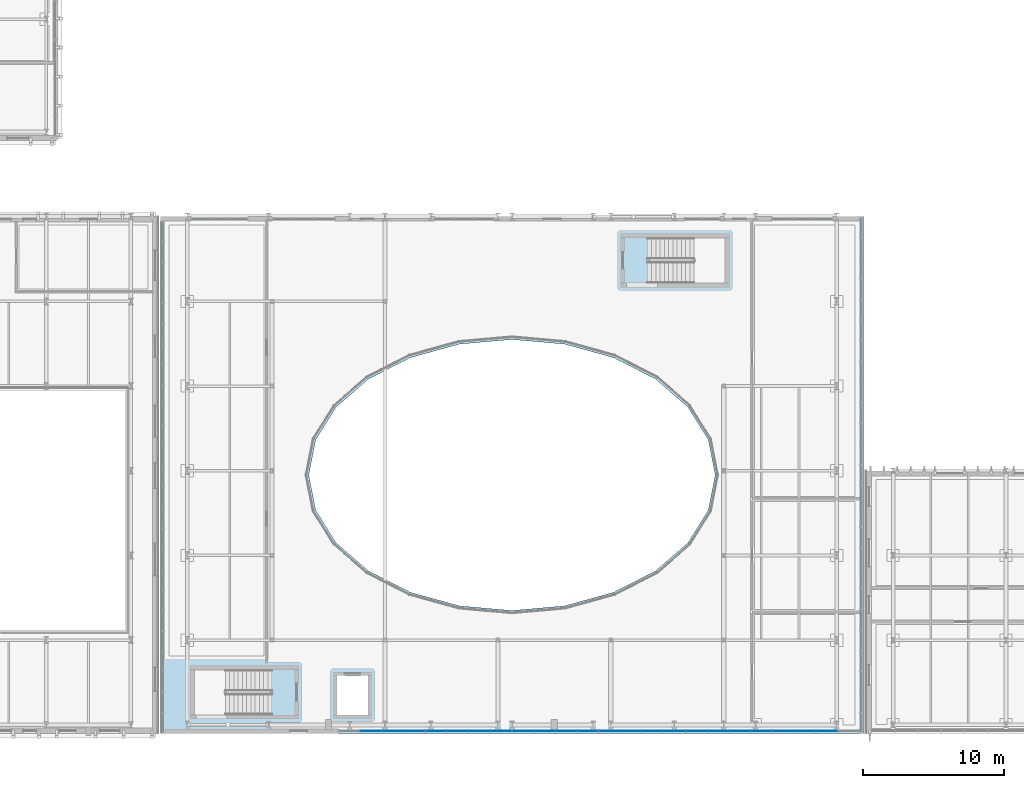
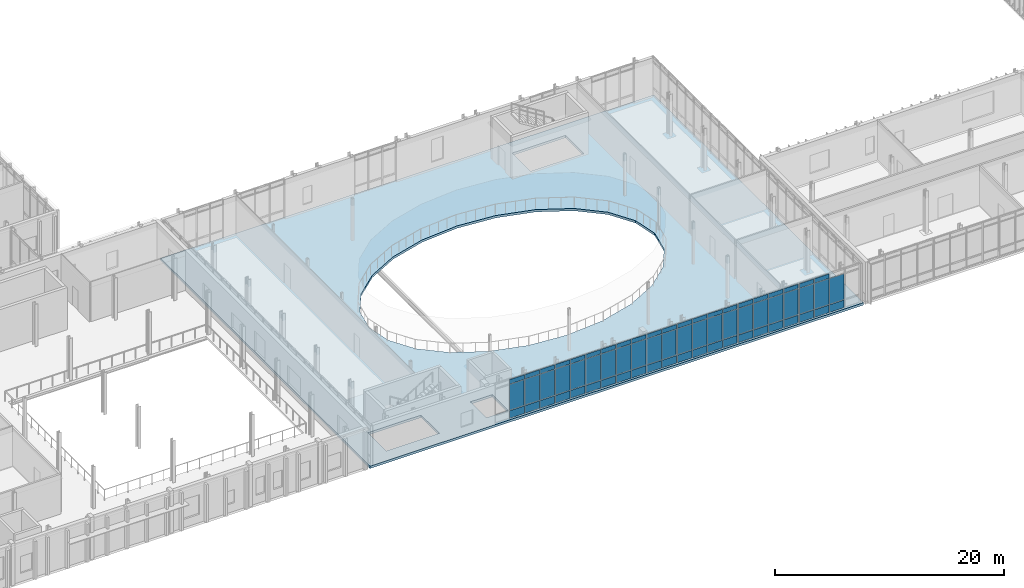
# One storey, part 53 of 100: 65 plates, 1 slab, 6 elements without a shape of their own.
"""IFC4 building model written with IfcOpenShell, lengths in metres."""

from ifc_helpers import new_model, si_unit, direction, frame, origin, origin_2d, place, context, subcontext, project, spatial, polyline, rectangle, outline, extrude, material, layer, layer_set, type_object, element, aggregate, save


model = new_model("IFC4")

# Units and contexts
model_context = context("Model", 3, precision=1e-05, world=origin(), true_north=direction((0.0, 1.0)))
body_context = subcontext(model_context, "Body", "Model", "MODEL_VIEW")
ifc_project = project(units=[si_unit("LENGTHUNIT", "METRE"), si_unit("AREAUNIT", "SQUARE_METRE"), si_unit("VOLUMEUNIT", "CUBIC_METRE"), si_unit("PLANEANGLEUNIT", "RADIAN"), si_unit("MASSUNIT", "GRAM", prefix="KILO")], contexts=[model_context])

# Site, building, storey
site_placement = place(None, origin())
site = spatial("IfcSite", under=ifc_project, at=site_placement, CompositionType="ELEMENT")
building_placement = place(site_placement, origin())
building = spatial("IfcBuilding", under=site, at=building_placement, Name="Cymarion Research Institute", CompositionType="ELEMENT")
storey_placement = place(building_placement, frame((0.0, 0.0, 9.300048828125)))
storey = spatial("IfcBuildingStorey", under=building, at=storey_placement, Name="L02", CompositionType="ELEMENT", Elevation=9.300048828125)

# Slab
ifc_material_1 = material(Name="Concrete C35/45", Category="concrete")
ifc_layer_1 = layer(ifc_material_1, 0.25)
ifc_layer_set_1 = layer_set([ifc_layer_1], Name="Concrete C35/45")
slab_type = type_object("IfcSlabType", Name="COMPOSITE FLOOR SLAB SL-FL250 250MM", PredefinedType="FLOOR", material=ifc_layer_set_1)
slab_placement = place(storey_placement, frame((0.0, 0.0, -0.25)))
element("IfcSlab", 1, at=slab_placement, inside=storey, type_object=slab_type, Name="L02 V2 floor slab", PredefinedType="FLOOR", context=body_context, shape_type="SweptSolid", body=[
    extrude(outline(polyline([(54.699951171875, 4.89990234375), (104.5, 4.89990234375), (104.5, 41.5), (54.699951171875, 41.5), (54.699951171875, 4.89990234375)]), holes=[polyline([(62.4599609375, 9.39990234375), (57.10009765625, 9.39990234375), (57.10009765625, 6.199951171875), (62.4599609375, 6.199951171875), (62.4599609375, 9.39990234375)]), polyline([(67.199951171875, 6.199951171875), (69.39990234375, 6.199951171875), (69.39990234375, 9.0), (67.199951171875, 9.0), (67.199951171875, 6.199951171875)]), polyline([(89.340087890625, 36.800048828125), (94.699951171875, 36.800048828125), (94.699951171875, 40.0), (89.340087890625, 40.0), (89.340087890625, 36.800048828125)]), polyline([(94.0, 23.199951171875), (93.50927734375, 25.684814453125), (92.07080078125, 28.0), (89.7822265625, 29.98828125), (86.800048828125, 31.513916015625), (83.326904296875, 32.472900390625), (79.60009765625, 32.800048828125), (75.873046875, 32.472900390625), (72.39990234375, 31.513916015625), (69.417724609375, 29.98828125), (67.129150390625, 28.0), (65.690673828125, 25.684814453125), (65.199951171875, 23.199951171875), (65.690673828125, 20.71533203125), (67.129150390625, 18.39990234375), (69.417724609375, 16.411865234375), (72.39990234375, 14.88623046875), (75.873046875, 13.927001953125), (79.60009765625, 13.60009765625), (83.326904296875, 13.927001953125), (86.800048828125, 14.88623046875), (89.7822265625, 16.411865234375), (92.07080078125, 18.39990234375), (93.50927734375, 20.71533203125), (94.0, 23.199951171875)])]), origin(), (0.0, 0.0, 1.0), 0.25),
])

# Curtain wall, plates
ifc_material_2 = material(Name="Anodised aluminium unitised curtain wall with Low-E glazing", Category="aluminium")
curtain_wall_type = type_object("IfcCurtainWallType", Name="UNITISED CURTAIN WALL CW07 6150X4250", PredefinedType="NOTDEFINED", material=ifc_material_2)
curtain_wall_1_placement = place(storey_placement, origin())
curtain_wall_1 = element("IfcCurtainWall", 2, at=curtain_wall_1_placement, inside=storey, type_object=curtain_wall_type, Name="L02 V2 unitised curtain wall CW07 #72", PredefinedType="NOTDEFINED")
ifc_material_3 = material(Name="Insulated anodised aluminium spandrel panel", Category="aluminium")
ifc_layer_2 = layer(ifc_material_3, 0.06005859375)
ifc_layer_set_2 = layer_set([ifc_layer_2], Name="Insulated anodised aluminium spandrel panel")
plate_type_1 = type_object("IfcPlateType", Name="INSULATED ALUMINIUM SPANDREL PANEL SP01 60MM", PredefinedType="SHEET", material=ifc_layer_set_2)
plate_1_placement = place(storey_placement, frame((69.607177734375, 5.06005859375, 0.059814453125), z_axis=(0.0, 0.0, 1.0), x_axis=(1.0, 0.0, 0.0)))
plate_1 = element("IfcPlate", 3, at=plate_1_placement, type_object=plate_type_1, Name="CW07 panel 2.1", PredefinedType="SHEET", context=body_context, shape_type="SweptSolid", body=[
    extrude(rectangle(XDim=1.477294921875, YDim=0.06005859375, at=origin_2d()), origin(), (0.0, 0.0, 1.0), 0.81005859375),
])
plate_2_placement = place(storey_placement, frame((69.607177734375, 5.06005859375, 3.72998046875), z_axis=(0.0, 0.0, 1.0), x_axis=(1.0, 0.0, 0.0)))
plate_2 = element("IfcPlate", 4, at=plate_2_placement, type_object=plate_type_1, Name="CW07 panel 2.3", PredefinedType="SHEET", context=body_context, shape_type="SweptSolid", body=[
    extrude(rectangle(XDim=1.477294921875, YDim=0.06005859375, at=origin_2d()), origin(), (0.0, 0.0, 1.0), 0.4599609375),
])
plate_3_placement = place(storey_placement, frame((71.14453125, 5.06005859375, 0.059814453125), z_axis=(0.0, 0.0, 1.0), x_axis=(1.0, 0.0, 0.0)))
plate_3 = element("IfcPlate", 5, at=plate_3_placement, type_object=plate_type_1, Name="CW07 panel 3.1", PredefinedType="SHEET", context=body_context, shape_type="SweptSolid", body=[
    extrude(rectangle(XDim=1.477294921875, YDim=0.06005859375, at=origin_2d()), origin(), (0.0, 0.0, 1.0), 0.81005859375),
])
plate_4_placement = place(storey_placement, frame((71.14453125, 5.06005859375, 3.72998046875), z_axis=(0.0, 0.0, 1.0), x_axis=(1.0, 0.0, 0.0)))
plate_4 = element("IfcPlate", 6, at=plate_4_placement, type_object=plate_type_1, Name="CW07 panel 3.3", PredefinedType="SHEET", context=body_context, shape_type="SweptSolid", body=[
    extrude(rectangle(XDim=1.477294921875, YDim=0.06005859375, at=origin_2d()), origin(), (0.0, 0.0, 1.0), 0.4599609375),
])
plate_5_placement = place(storey_placement, frame((72.666748046875, 5.06005859375, 0.059814453125), z_axis=(0.0, 0.0, 1.0), x_axis=(1.0, 0.0, 0.0)))
plate_5 = element("IfcPlate", 7, at=plate_5_placement, type_object=plate_type_1, Name="CW07 panel 4.1", PredefinedType="SHEET", context=body_context, shape_type="SweptSolid", body=[
    extrude(rectangle(XDim=1.447265625, YDim=0.06005859375, at=origin_2d()), origin(), (0.0, 0.0, 1.0), 0.81005859375),
])
plate_6_placement = place(storey_placement, frame((72.666748046875, 5.06005859375, 3.72998046875), z_axis=(0.0, 0.0, 1.0), x_axis=(1.0, 0.0, 0.0)))
plate_6 = element("IfcPlate", 8, at=plate_6_placement, type_object=plate_type_1, Name="CW07 panel 4.3", PredefinedType="SHEET", context=body_context, shape_type="SweptSolid", body=[
    extrude(rectangle(XDim=1.447265625, YDim=0.06005859375, at=origin_2d()), origin(), (0.0, 0.0, 1.0), 0.4599609375),
])

curtain_wall_2_placement = place(storey_placement, origin())
curtain_wall_2 = element("IfcCurtainWall", 9, at=curtain_wall_2_placement, inside=storey, type_object=curtain_wall_type, Name="L02 V2 unitised curtain wall CW07 #73", PredefinedType="NOTDEFINED")
plate_7_placement = place(storey_placement, frame((74.234130859375, 5.06005859375, 0.059814453125), z_axis=(0.0, 0.0, 1.0), x_axis=(1.0, 0.0, 0.0)))
plate_7 = element("IfcPlate", 10, at=plate_7_placement, type_object=plate_type_1, Name="CW07 panel 1.1", PredefinedType="SHEET", context=body_context, shape_type="SweptSolid", body=[
    extrude(rectangle(XDim=1.447265625, YDim=0.06005859375, at=origin_2d()), origin(), (0.0, 0.0, 1.0), 0.81005859375),
])
plate_8_placement = place(storey_placement, frame((74.234130859375, 5.06005859375, 3.72998046875), z_axis=(0.0, 0.0, 1.0), x_axis=(1.0, 0.0, 0.0)))
plate_8 = element("IfcPlate", 11, at=plate_8_placement, type_object=plate_type_1, Name="CW07 panel 1.3", PredefinedType="SHEET", context=body_context, shape_type="SweptSolid", body=[
    extrude(rectangle(XDim=1.447265625, YDim=0.06005859375, at=origin_2d()), origin(), (0.0, 0.0, 1.0), 0.4599609375),
])
plate_9_placement = place(storey_placement, frame((75.756591796875, 5.06005859375, 0.059814453125), z_axis=(0.0, 0.0, 1.0), x_axis=(1.0, 0.0, 0.0)))
plate_9 = element("IfcPlate", 12, at=plate_9_placement, type_object=plate_type_1, Name="CW07 panel 2.1", PredefinedType="SHEET", context=body_context, shape_type="SweptSolid", body=[
    extrude(rectangle(XDim=1.477294921875, YDim=0.06005859375, at=origin_2d()), origin(), (0.0, 0.0, 1.0), 0.81005859375),
])
plate_10_placement = place(storey_placement, frame((75.756591796875, 5.06005859375, 3.72998046875), z_axis=(0.0, 0.0, 1.0), x_axis=(1.0, 0.0, 0.0)))
plate_10 = element("IfcPlate", 13, at=plate_10_placement, type_object=plate_type_1, Name="CW07 panel 2.3", PredefinedType="SHEET", context=body_context, shape_type="SweptSolid", body=[
    extrude(rectangle(XDim=1.477294921875, YDim=0.06005859375, at=origin_2d()), origin(), (0.0, 0.0, 1.0), 0.4599609375),
])
plate_11_placement = place(storey_placement, frame((77.2939453125, 5.06005859375, 0.059814453125), z_axis=(0.0, 0.0, 1.0), x_axis=(1.0, 0.0, 0.0)))
plate_11 = element("IfcPlate", 14, at=plate_11_placement, type_object=plate_type_1, Name="CW07 panel 3.1", PredefinedType="SHEET", context=body_context, shape_type="SweptSolid", body=[
    extrude(rectangle(XDim=1.477294921875, YDim=0.06005859375, at=origin_2d()), origin(), (0.0, 0.0, 1.0), 0.81005859375),
])
plate_12_placement = place(storey_placement, frame((77.2939453125, 5.06005859375, 3.72998046875), z_axis=(0.0, 0.0, 1.0), x_axis=(1.0, 0.0, 0.0)))
plate_12 = element("IfcPlate", 15, at=plate_12_placement, type_object=plate_type_1, Name="CW07 panel 3.3", PredefinedType="SHEET", context=body_context, shape_type="SweptSolid", body=[
    extrude(rectangle(XDim=1.477294921875, YDim=0.06005859375, at=origin_2d()), origin(), (0.0, 0.0, 1.0), 0.4599609375),
])
plate_13_placement = place(storey_placement, frame((78.81640625, 5.06005859375, 0.059814453125), z_axis=(0.0, 0.0, 1.0), x_axis=(1.0, 0.0, 0.0)))
plate_13 = element("IfcPlate", 16, at=plate_13_placement, type_object=plate_type_1, Name="CW07 panel 4.1", PredefinedType="SHEET", context=body_context, shape_type="SweptSolid", body=[
    extrude(rectangle(XDim=1.447265625, YDim=0.06005859375, at=origin_2d()), origin(), (0.0, 0.0, 1.0), 0.81005859375),
])
plate_14_placement = place(storey_placement, frame((78.81640625, 5.06005859375, 3.72998046875), z_axis=(0.0, 0.0, 1.0), x_axis=(1.0, 0.0, 0.0)))
plate_14 = element("IfcPlate", 17, at=plate_14_placement, type_object=plate_type_1, Name="CW07 panel 4.3", PredefinedType="SHEET", context=body_context, shape_type="SweptSolid", body=[
    extrude(rectangle(XDim=1.447265625, YDim=0.06005859375, at=origin_2d()), origin(), (0.0, 0.0, 1.0), 0.4599609375),
])

curtain_wall_3_placement = place(storey_placement, origin())
curtain_wall_3 = element("IfcCurtainWall", 18, at=curtain_wall_3_placement, inside=storey, type_object=curtain_wall_type, Name="L02 V2 unitised curtain wall CW07 #74", PredefinedType="NOTDEFINED")
plate_15_placement = place(storey_placement, frame((80.3837890625, 5.06005859375, 0.059814453125), z_axis=(0.0, 0.0, 1.0), x_axis=(1.0, 0.0, 0.0)))
plate_15 = element("IfcPlate", 19, at=plate_15_placement, type_object=plate_type_1, Name="CW07 panel 1.1", PredefinedType="SHEET", context=body_context, shape_type="SweptSolid", body=[
    extrude(rectangle(XDim=1.447265625, YDim=0.06005859375, at=origin_2d()), origin(), (0.0, 0.0, 1.0), 0.81005859375),
])
plate_16_placement = place(storey_placement, frame((80.3837890625, 5.06005859375, 3.72998046875), z_axis=(0.0, 0.0, 1.0), x_axis=(1.0, 0.0, 0.0)))
plate_16 = element("IfcPlate", 20, at=plate_16_placement, type_object=plate_type_1, Name="CW07 panel 1.3", PredefinedType="SHEET", context=body_context, shape_type="SweptSolid", body=[
    extrude(rectangle(XDim=1.447265625, YDim=0.06005859375, at=origin_2d()), origin(), (0.0, 0.0, 1.0), 0.4599609375),
])
plate_17_placement = place(storey_placement, frame((81.906005859375, 5.06005859375, 0.059814453125), z_axis=(0.0, 0.0, 1.0), x_axis=(1.0, 0.0, 0.0)))
plate_17 = element("IfcPlate", 21, at=plate_17_placement, type_object=plate_type_1, Name="CW07 panel 2.1", PredefinedType="SHEET", context=body_context, shape_type="SweptSolid", body=[
    extrude(rectangle(XDim=1.477294921875, YDim=0.06005859375, at=origin_2d()), origin(), (0.0, 0.0, 1.0), 0.81005859375),
])
plate_18_placement = place(storey_placement, frame((81.906005859375, 5.06005859375, 3.72998046875), z_axis=(0.0, 0.0, 1.0), x_axis=(1.0, 0.0, 0.0)))
plate_18 = element("IfcPlate", 22, at=plate_18_placement, type_object=plate_type_1, Name="CW07 panel 2.3", PredefinedType="SHEET", context=body_context, shape_type="SweptSolid", body=[
    extrude(rectangle(XDim=1.477294921875, YDim=0.06005859375, at=origin_2d()), origin(), (0.0, 0.0, 1.0), 0.4599609375),
])
plate_19_placement = place(storey_placement, frame((83.443359375, 5.06005859375, 0.059814453125), z_axis=(0.0, 0.0, 1.0), x_axis=(1.0, 0.0, 0.0)))
plate_19 = element("IfcPlate", 23, at=plate_19_placement, type_object=plate_type_1, Name="CW07 panel 3.1", PredefinedType="SHEET", context=body_context, shape_type="SweptSolid", body=[
    extrude(rectangle(XDim=1.477294921875, YDim=0.06005859375, at=origin_2d()), origin(), (0.0, 0.0, 1.0), 0.81005859375),
])
plate_20_placement = place(storey_placement, frame((83.443359375, 5.06005859375, 3.72998046875), z_axis=(0.0, 0.0, 1.0), x_axis=(1.0, 0.0, 0.0)))
plate_20 = element("IfcPlate", 24, at=plate_20_placement, type_object=plate_type_1, Name="CW07 panel 3.3", PredefinedType="SHEET", context=body_context, shape_type="SweptSolid", body=[
    extrude(rectangle(XDim=1.477294921875, YDim=0.06005859375, at=origin_2d()), origin(), (0.0, 0.0, 1.0), 0.4599609375),
])
plate_21_placement = place(storey_placement, frame((84.9658203125, 5.06005859375, 0.059814453125), z_axis=(0.0, 0.0, 1.0), x_axis=(1.0, 0.0, 0.0)))
plate_21 = element("IfcPlate", 25, at=plate_21_placement, type_object=plate_type_1, Name="CW07 panel 4.1", PredefinedType="SHEET", context=body_context, shape_type="SweptSolid", body=[
    extrude(rectangle(XDim=1.447265625, YDim=0.06005859375, at=origin_2d()), origin(), (0.0, 0.0, 1.0), 0.81005859375),
])
plate_22_placement = place(storey_placement, frame((84.9658203125, 5.06005859375, 3.72998046875), z_axis=(0.0, 0.0, 1.0), x_axis=(1.0, 0.0, 0.0)))
plate_22 = element("IfcPlate", 26, at=plate_22_placement, type_object=plate_type_1, Name="CW07 panel 4.3", PredefinedType="SHEET", context=body_context, shape_type="SweptSolid", body=[
    extrude(rectangle(XDim=1.447265625, YDim=0.06005859375, at=origin_2d()), origin(), (0.0, 0.0, 1.0), 0.4599609375),
])

curtain_wall_4_placement = place(storey_placement, origin())
curtain_wall_4 = element("IfcCurtainWall", 27, at=curtain_wall_4_placement, inside=storey, type_object=curtain_wall_type, Name="L02 V2 unitised curtain wall CW07 #75", PredefinedType="NOTDEFINED")
plate_23_placement = place(storey_placement, frame((86.533203125, 5.06005859375, 0.059814453125), z_axis=(0.0, 0.0, 1.0), x_axis=(1.0, 0.0, 0.0)))
plate_23 = element("IfcPlate", 28, at=plate_23_placement, type_object=plate_type_1, Name="CW07 panel 1.1", PredefinedType="SHEET", context=body_context, shape_type="SweptSolid", body=[
    extrude(rectangle(XDim=1.447265625, YDim=0.06005859375, at=origin_2d()), origin(), (0.0, 0.0, 1.0), 0.81005859375),
])
plate_24_placement = place(storey_placement, frame((86.533203125, 5.06005859375, 3.72998046875), z_axis=(0.0, 0.0, 1.0), x_axis=(1.0, 0.0, 0.0)))
plate_24 = element("IfcPlate", 29, at=plate_24_placement, type_object=plate_type_1, Name="CW07 panel 1.3", PredefinedType="SHEET", context=body_context, shape_type="SweptSolid", body=[
    extrude(rectangle(XDim=1.447265625, YDim=0.06005859375, at=origin_2d()), origin(), (0.0, 0.0, 1.0), 0.4599609375),
])
plate_25_placement = place(storey_placement, frame((88.0556640625, 5.06005859375, 0.059814453125), z_axis=(0.0, 0.0, 1.0), x_axis=(1.0, 0.0, 0.0)))
plate_25 = element("IfcPlate", 30, at=plate_25_placement, type_object=plate_type_1, Name="CW07 panel 2.1", PredefinedType="SHEET", context=body_context, shape_type="SweptSolid", body=[
    extrude(rectangle(XDim=1.477294921875, YDim=0.06005859375, at=origin_2d()), origin(), (0.0, 0.0, 1.0), 0.81005859375),
])
plate_26_placement = place(storey_placement, frame((88.0556640625, 5.06005859375, 3.72998046875), z_axis=(0.0, 0.0, 1.0), x_axis=(1.0, 0.0, 0.0)))
plate_26 = element("IfcPlate", 31, at=plate_26_placement, type_object=plate_type_1, Name="CW07 panel 2.3", PredefinedType="SHEET", context=body_context, shape_type="SweptSolid", body=[
    extrude(rectangle(XDim=1.477294921875, YDim=0.06005859375, at=origin_2d()), origin(), (0.0, 0.0, 1.0), 0.4599609375),
])
plate_27_placement = place(storey_placement, frame((89.593017578125, 5.06005859375, 0.059814453125), z_axis=(0.0, 0.0, 1.0), x_axis=(1.0, 0.0, 0.0)))
plate_27 = element("IfcPlate", 32, at=plate_27_placement, type_object=plate_type_1, Name="CW07 panel 3.1", PredefinedType="SHEET", context=body_context, shape_type="SweptSolid", body=[
    extrude(rectangle(XDim=1.477294921875, YDim=0.06005859375, at=origin_2d()), origin(), (0.0, 0.0, 1.0), 0.81005859375),
])
plate_28_placement = place(storey_placement, frame((89.593017578125, 5.06005859375, 3.72998046875), z_axis=(0.0, 0.0, 1.0), x_axis=(1.0, 0.0, 0.0)))
plate_28 = element("IfcPlate", 33, at=plate_28_placement, type_object=plate_type_1, Name="CW07 panel 3.3", PredefinedType="SHEET", context=body_context, shape_type="SweptSolid", body=[
    extrude(rectangle(XDim=1.477294921875, YDim=0.06005859375, at=origin_2d()), origin(), (0.0, 0.0, 1.0), 0.4599609375),
])
plate_29_placement = place(storey_placement, frame((91.115234375, 5.06005859375, 0.059814453125), z_axis=(0.0, 0.0, 1.0), x_axis=(1.0, 0.0, 0.0)))
plate_29 = element("IfcPlate", 34, at=plate_29_placement, type_object=plate_type_1, Name="CW07 panel 4.1", PredefinedType="SHEET", context=body_context, shape_type="SweptSolid", body=[
    extrude(rectangle(XDim=1.447265625, YDim=0.06005859375, at=origin_2d()), origin(), (0.0, 0.0, 1.0), 0.81005859375),
])
plate_30_placement = place(storey_placement, frame((91.115234375, 5.06005859375, 3.72998046875), z_axis=(0.0, 0.0, 1.0), x_axis=(1.0, 0.0, 0.0)))
plate_30 = element("IfcPlate", 35, at=plate_30_placement, type_object=plate_type_1, Name="CW07 panel 4.3", PredefinedType="SHEET", context=body_context, shape_type="SweptSolid", body=[
    extrude(rectangle(XDim=1.447265625, YDim=0.06005859375, at=origin_2d()), origin(), (0.0, 0.0, 1.0), 0.4599609375),
])

curtain_wall_5_placement = place(storey_placement, origin())
curtain_wall_5 = element("IfcCurtainWall", 36, at=curtain_wall_5_placement, inside=storey, type_object=curtain_wall_type, Name="L02 V2 unitised curtain wall CW07 #76", PredefinedType="NOTDEFINED")
plate_31_placement = place(storey_placement, frame((92.6826171875, 5.06005859375, 0.059814453125), z_axis=(0.0, 0.0, 1.0), x_axis=(1.0, 0.0, 0.0)))
plate_31 = element("IfcPlate", 37, at=plate_31_placement, type_object=plate_type_1, Name="CW07 panel 1.1", PredefinedType="SHEET", context=body_context, shape_type="SweptSolid", body=[
    extrude(rectangle(XDim=1.447265625, YDim=0.06005859375, at=origin_2d()), origin(), (0.0, 0.0, 1.0), 0.81005859375),
])
plate_32_placement = place(storey_placement, frame((92.6826171875, 5.06005859375, 3.72998046875), z_axis=(0.0, 0.0, 1.0), x_axis=(1.0, 0.0, 0.0)))
plate_32 = element("IfcPlate", 38, at=plate_32_placement, type_object=plate_type_1, Name="CW07 panel 1.3", PredefinedType="SHEET", context=body_context, shape_type="SweptSolid", body=[
    extrude(rectangle(XDim=1.447265625, YDim=0.06005859375, at=origin_2d()), origin(), (0.0, 0.0, 1.0), 0.4599609375),
])
plate_33_placement = place(storey_placement, frame((94.205078125, 5.06005859375, 0.059814453125), z_axis=(0.0, 0.0, 1.0), x_axis=(1.0, 0.0, 0.0)))
plate_33 = element("IfcPlate", 39, at=plate_33_placement, type_object=plate_type_1, Name="CW07 panel 2.1", PredefinedType="SHEET", context=body_context, shape_type="SweptSolid", body=[
    extrude(rectangle(XDim=1.477294921875, YDim=0.06005859375, at=origin_2d()), origin(), (0.0, 0.0, 1.0), 0.81005859375),
])
plate_34_placement = place(storey_placement, frame((94.205078125, 5.06005859375, 3.72998046875), z_axis=(0.0, 0.0, 1.0), x_axis=(1.0, 0.0, 0.0)))
plate_34 = element("IfcPlate", 40, at=plate_34_placement, type_object=plate_type_1, Name="CW07 panel 2.3", PredefinedType="SHEET", context=body_context, shape_type="SweptSolid", body=[
    extrude(rectangle(XDim=1.477294921875, YDim=0.06005859375, at=origin_2d()), origin(), (0.0, 0.0, 1.0), 0.4599609375),
])
plate_35_placement = place(storey_placement, frame((95.742431640625, 5.06005859375, 0.059814453125), z_axis=(0.0, 0.0, 1.0), x_axis=(1.0, 0.0, 0.0)))
plate_35 = element("IfcPlate", 41, at=plate_35_placement, type_object=plate_type_1, Name="CW07 panel 3.1", PredefinedType="SHEET", context=body_context, shape_type="SweptSolid", body=[
    extrude(rectangle(XDim=1.477294921875, YDim=0.06005859375, at=origin_2d()), origin(), (0.0, 0.0, 1.0), 0.81005859375),
])
plate_36_placement = place(storey_placement, frame((95.742431640625, 5.06005859375, 3.72998046875), z_axis=(0.0, 0.0, 1.0), x_axis=(1.0, 0.0, 0.0)))
plate_36 = element("IfcPlate", 42, at=plate_36_placement, type_object=plate_type_1, Name="CW07 panel 3.3", PredefinedType="SHEET", context=body_context, shape_type="SweptSolid", body=[
    extrude(rectangle(XDim=1.477294921875, YDim=0.06005859375, at=origin_2d()), origin(), (0.0, 0.0, 1.0), 0.4599609375),
])
plate_37_placement = place(storey_placement, frame((97.264892578125, 5.06005859375, 0.059814453125), z_axis=(0.0, 0.0, 1.0), x_axis=(1.0, 0.0, 0.0)))
plate_37 = element("IfcPlate", 43, at=plate_37_placement, type_object=plate_type_1, Name="CW07 panel 4.1", PredefinedType="SHEET", context=body_context, shape_type="SweptSolid", body=[
    extrude(rectangle(XDim=1.447265625, YDim=0.06005859375, at=origin_2d()), origin(), (0.0, 0.0, 1.0), 0.81005859375),
])
plate_38_placement = place(storey_placement, frame((97.264892578125, 5.06005859375, 3.72998046875), z_axis=(0.0, 0.0, 1.0), x_axis=(1.0, 0.0, 0.0)))
plate_38 = element("IfcPlate", 44, at=plate_38_placement, type_object=plate_type_1, Name="CW07 panel 4.3", PredefinedType="SHEET", context=body_context, shape_type="SweptSolid", body=[
    extrude(rectangle(XDim=1.447265625, YDim=0.06005859375, at=origin_2d()), origin(), (0.0, 0.0, 1.0), 0.4599609375),
])

curtain_wall_6_placement = place(storey_placement, origin())
curtain_wall_6 = element("IfcCurtainWall", 45, at=curtain_wall_6_placement, inside=storey, type_object=curtain_wall_type, Name="L02 V2 unitised curtain wall CW07 #77", PredefinedType="NOTDEFINED")
plate_39_placement = place(storey_placement, frame((98.832275390625, 5.06005859375, 0.059814453125), z_axis=(0.0, 0.0, 1.0), x_axis=(1.0, 0.0, 0.0)))
plate_39 = element("IfcPlate", 46, at=plate_39_placement, type_object=plate_type_1, Name="CW07 panel 1.1", PredefinedType="SHEET", context=body_context, shape_type="SweptSolid", body=[
    extrude(rectangle(XDim=1.447265625, YDim=0.06005859375, at=origin_2d()), origin(), (0.0, 0.0, 1.0), 0.81005859375),
])
plate_40_placement = place(storey_placement, frame((98.832275390625, 5.06005859375, 3.72998046875), z_axis=(0.0, 0.0, 1.0), x_axis=(1.0, 0.0, 0.0)))
plate_40 = element("IfcPlate", 47, at=plate_40_placement, type_object=plate_type_1, Name="CW07 panel 1.3", PredefinedType="SHEET", context=body_context, shape_type="SweptSolid", body=[
    extrude(rectangle(XDim=1.447265625, YDim=0.06005859375, at=origin_2d()), origin(), (0.0, 0.0, 1.0), 0.4599609375),
])
plate_41_placement = place(storey_placement, frame((100.3544921875, 5.06005859375, 0.059814453125), z_axis=(0.0, 0.0, 1.0), x_axis=(1.0, 0.0, 0.0)))
plate_41 = element("IfcPlate", 48, at=plate_41_placement, type_object=plate_type_1, Name="CW07 panel 2.1", PredefinedType="SHEET", context=body_context, shape_type="SweptSolid", body=[
    extrude(rectangle(XDim=1.477294921875, YDim=0.06005859375, at=origin_2d()), origin(), (0.0, 0.0, 1.0), 0.81005859375),
])
plate_42_placement = place(storey_placement, frame((100.3544921875, 5.06005859375, 3.72998046875), z_axis=(0.0, 0.0, 1.0), x_axis=(1.0, 0.0, 0.0)))
plate_42 = element("IfcPlate", 49, at=plate_42_placement, type_object=plate_type_1, Name="CW07 panel 2.3", PredefinedType="SHEET", context=body_context, shape_type="SweptSolid", body=[
    extrude(rectangle(XDim=1.477294921875, YDim=0.06005859375, at=origin_2d()), origin(), (0.0, 0.0, 1.0), 0.4599609375),
])
plate_43_placement = place(storey_placement, frame((101.891845703125, 5.06005859375, 0.059814453125), z_axis=(0.0, 0.0, 1.0), x_axis=(1.0, 0.0, 0.0)))
plate_43 = element("IfcPlate", 50, at=plate_43_placement, type_object=plate_type_1, Name="CW07 panel 3.1", PredefinedType="SHEET", context=body_context, shape_type="SweptSolid", body=[
    extrude(rectangle(XDim=1.477294921875, YDim=0.06005859375, at=origin_2d()), origin(), (0.0, 0.0, 1.0), 0.81005859375),
])

# Plate
ifc_material_4 = material(Name="Low-E double solar-control glazing", Category="glass")
ifc_layer_3 = layer(ifc_material_4, 0.035888671875)
ifc_layer_set_3 = layer_set([ifc_layer_3], Name="Low-E double solar-control glazing")
plate_type_2 = type_object("IfcPlateType", Name="SOLAR CONTROL GLAZED VISION PANEL GP01 36MM", PredefinedType="CURTAIN_PANEL", material=ifc_layer_set_3)
plate_44_placement = place(storey_placement, frame((69.607177734375, 5.06005859375, 0.93017578125), z_axis=(0.0, 0.0, 1.0), x_axis=(1.0, 0.0, 0.0)))
plate_44 = element("IfcPlate", 51, at=plate_44_placement, type_object=plate_type_2, Name="CW07 panel 2.2", PredefinedType="CURTAIN_PANEL", context=body_context, shape_type="SweptSolid", body=[
    extrude(rectangle(XDim=1.477294921875, YDim=0.035888671875, at=origin_2d()), origin(), (0.0, 0.0, 1.0), 2.739990234375),
])

plate_45_placement = place(storey_placement, frame((71.14453125, 5.06005859375, 0.93017578125), z_axis=(0.0, 0.0, 1.0), x_axis=(1.0, 0.0, 0.0)))
plate_45 = element("IfcPlate", 52, at=plate_45_placement, type_object=plate_type_2, Name="CW07 panel 3.2", PredefinedType="CURTAIN_PANEL", context=body_context, shape_type="SweptSolid", body=[
    extrude(rectangle(XDim=1.477294921875, YDim=0.035888671875, at=origin_2d()), origin(), (0.0, 0.0, 1.0), 2.739990234375),
])

plate_46_placement = place(storey_placement, frame((72.666748046875, 5.06005859375, 0.93017578125), z_axis=(0.0, 0.0, 1.0), x_axis=(1.0, 0.0, 0.0)))
plate_46 = element("IfcPlate", 53, at=plate_46_placement, type_object=plate_type_2, Name="CW07 panel 4.2", PredefinedType="CURTAIN_PANEL", context=body_context, shape_type="SweptSolid", body=[
    extrude(rectangle(XDim=1.447265625, YDim=0.035888671875, at=origin_2d()), origin(), (0.0, 0.0, 1.0), 2.739990234375),
])

aggregate(curtain_wall_1, [plate_1, plate_44, plate_2, plate_3, plate_45, plate_4, plate_5, plate_46, plate_6])

plate_47_placement = place(storey_placement, frame((74.234130859375, 5.06005859375, 0.93017578125), z_axis=(0.0, 0.0, 1.0), x_axis=(1.0, 0.0, 0.0)))
plate_47 = element("IfcPlate", 54, at=plate_47_placement, type_object=plate_type_2, Name="CW07 panel 1.2", PredefinedType="CURTAIN_PANEL", context=body_context, shape_type="SweptSolid", body=[
    extrude(rectangle(XDim=1.447265625, YDim=0.035888671875, at=origin_2d()), origin(), (0.0, 0.0, 1.0), 2.739990234375),
])

plate_48_placement = place(storey_placement, frame((75.756591796875, 5.06005859375, 0.93017578125), z_axis=(0.0, 0.0, 1.0), x_axis=(1.0, 0.0, 0.0)))
plate_48 = element("IfcPlate", 55, at=plate_48_placement, type_object=plate_type_2, Name="CW07 panel 2.2", PredefinedType="CURTAIN_PANEL", context=body_context, shape_type="SweptSolid", body=[
    extrude(rectangle(XDim=1.477294921875, YDim=0.035888671875, at=origin_2d()), origin(), (0.0, 0.0, 1.0), 2.739990234375),
])

plate_49_placement = place(storey_placement, frame((77.2939453125, 5.06005859375, 0.93017578125), z_axis=(0.0, 0.0, 1.0), x_axis=(1.0, 0.0, 0.0)))
plate_49 = element("IfcPlate", 56, at=plate_49_placement, type_object=plate_type_2, Name="CW07 panel 3.2", PredefinedType="CURTAIN_PANEL", context=body_context, shape_type="SweptSolid", body=[
    extrude(rectangle(XDim=1.477294921875, YDim=0.035888671875, at=origin_2d()), origin(), (0.0, 0.0, 1.0), 2.739990234375),
])

plate_50_placement = place(storey_placement, frame((78.81640625, 5.06005859375, 0.93017578125), z_axis=(0.0, 0.0, 1.0), x_axis=(1.0, 0.0, 0.0)))
plate_50 = element("IfcPlate", 57, at=plate_50_placement, type_object=plate_type_2, Name="CW07 panel 4.2", PredefinedType="CURTAIN_PANEL", context=body_context, shape_type="SweptSolid", body=[
    extrude(rectangle(XDim=1.447265625, YDim=0.035888671875, at=origin_2d()), origin(), (0.0, 0.0, 1.0), 2.739990234375),
])

aggregate(curtain_wall_2, [plate_7, plate_47, plate_8, plate_9, plate_48, plate_10, plate_11, plate_49, plate_12, plate_13, plate_50, plate_14])

plate_51_placement = place(storey_placement, frame((80.3837890625, 5.06005859375, 0.93017578125), z_axis=(0.0, 0.0, 1.0), x_axis=(1.0, 0.0, 0.0)))
plate_51 = element("IfcPlate", 58, at=plate_51_placement, type_object=plate_type_2, Name="CW07 panel 1.2", PredefinedType="CURTAIN_PANEL", context=body_context, shape_type="SweptSolid", body=[
    extrude(rectangle(XDim=1.447265625, YDim=0.035888671875, at=origin_2d()), origin(), (0.0, 0.0, 1.0), 2.739990234375),
])

plate_52_placement = place(storey_placement, frame((81.906005859375, 5.06005859375, 0.93017578125), z_axis=(0.0, 0.0, 1.0), x_axis=(1.0, 0.0, 0.0)))
plate_52 = element("IfcPlate", 59, at=plate_52_placement, type_object=plate_type_2, Name="CW07 panel 2.2", PredefinedType="CURTAIN_PANEL", context=body_context, shape_type="SweptSolid", body=[
    extrude(rectangle(XDim=1.477294921875, YDim=0.035888671875, at=origin_2d()), origin(), (0.0, 0.0, 1.0), 2.739990234375),
])

plate_53_placement = place(storey_placement, frame((83.443359375, 5.06005859375, 0.93017578125), z_axis=(0.0, 0.0, 1.0), x_axis=(1.0, 0.0, 0.0)))
plate_53 = element("IfcPlate", 60, at=plate_53_placement, type_object=plate_type_2, Name="CW07 panel 3.2", PredefinedType="CURTAIN_PANEL", context=body_context, shape_type="SweptSolid", body=[
    extrude(rectangle(XDim=1.477294921875, YDim=0.035888671875, at=origin_2d()), origin(), (0.0, 0.0, 1.0), 2.739990234375),
])

plate_54_placement = place(storey_placement, frame((84.9658203125, 5.06005859375, 0.93017578125), z_axis=(0.0, 0.0, 1.0), x_axis=(1.0, 0.0, 0.0)))
plate_54 = element("IfcPlate", 61, at=plate_54_placement, type_object=plate_type_2, Name="CW07 panel 4.2", PredefinedType="CURTAIN_PANEL", context=body_context, shape_type="SweptSolid", body=[
    extrude(rectangle(XDim=1.447265625, YDim=0.035888671875, at=origin_2d()), origin(), (0.0, 0.0, 1.0), 2.739990234375),
])

aggregate(curtain_wall_3, [plate_15, plate_51, plate_16, plate_17, plate_52, plate_18, plate_19, plate_53, plate_20, plate_21, plate_54, plate_22])

plate_55_placement = place(storey_placement, frame((86.533203125, 5.06005859375, 0.93017578125), z_axis=(0.0, 0.0, 1.0), x_axis=(1.0, 0.0, 0.0)))
plate_55 = element("IfcPlate", 62, at=plate_55_placement, type_object=plate_type_2, Name="CW07 panel 1.2", PredefinedType="CURTAIN_PANEL", context=body_context, shape_type="SweptSolid", body=[
    extrude(rectangle(XDim=1.447265625, YDim=0.035888671875, at=origin_2d()), origin(), (0.0, 0.0, 1.0), 2.739990234375),
])

plate_56_placement = place(storey_placement, frame((88.0556640625, 5.06005859375, 0.93017578125), z_axis=(0.0, 0.0, 1.0), x_axis=(1.0, 0.0, 0.0)))
plate_56 = element("IfcPlate", 63, at=plate_56_placement, type_object=plate_type_2, Name="CW07 panel 2.2", PredefinedType="CURTAIN_PANEL", context=body_context, shape_type="SweptSolid", body=[
    extrude(rectangle(XDim=1.477294921875, YDim=0.035888671875, at=origin_2d()), origin(), (0.0, 0.0, 1.0), 2.739990234375),
])

plate_57_placement = place(storey_placement, frame((89.593017578125, 5.06005859375, 0.93017578125), z_axis=(0.0, 0.0, 1.0), x_axis=(1.0, 0.0, 0.0)))
plate_57 = element("IfcPlate", 64, at=plate_57_placement, type_object=plate_type_2, Name="CW07 panel 3.2", PredefinedType="CURTAIN_PANEL", context=body_context, shape_type="SweptSolid", body=[
    extrude(rectangle(XDim=1.477294921875, YDim=0.035888671875, at=origin_2d()), origin(), (0.0, 0.0, 1.0), 2.739990234375),
])

plate_58_placement = place(storey_placement, frame((91.115234375, 5.06005859375, 0.93017578125), z_axis=(0.0, 0.0, 1.0), x_axis=(1.0, 0.0, 0.0)))
plate_58 = element("IfcPlate", 65, at=plate_58_placement, type_object=plate_type_2, Name="CW07 panel 4.2", PredefinedType="CURTAIN_PANEL", context=body_context, shape_type="SweptSolid", body=[
    extrude(rectangle(XDim=1.447265625, YDim=0.035888671875, at=origin_2d()), origin(), (0.0, 0.0, 1.0), 2.739990234375),
])

aggregate(curtain_wall_4, [plate_23, plate_55, plate_24, plate_25, plate_56, plate_26, plate_27, plate_57, plate_28, plate_29, plate_58, plate_30])

plate_59_placement = place(storey_placement, frame((92.6826171875, 5.06005859375, 0.93017578125), z_axis=(0.0, 0.0, 1.0), x_axis=(1.0, 0.0, 0.0)))
plate_59 = element("IfcPlate", 66, at=plate_59_placement, type_object=plate_type_2, Name="CW07 panel 1.2", PredefinedType="CURTAIN_PANEL", context=body_context, shape_type="SweptSolid", body=[
    extrude(rectangle(XDim=1.447265625, YDim=0.035888671875, at=origin_2d()), origin(), (0.0, 0.0, 1.0), 2.739990234375),
])

plate_60_placement = place(storey_placement, frame((94.205078125, 5.06005859375, 0.93017578125), z_axis=(0.0, 0.0, 1.0), x_axis=(1.0, 0.0, 0.0)))
plate_60 = element("IfcPlate", 67, at=plate_60_placement, type_object=plate_type_2, Name="CW07 panel 2.2", PredefinedType="CURTAIN_PANEL", context=body_context, shape_type="SweptSolid", body=[
    extrude(rectangle(XDim=1.477294921875, YDim=0.035888671875, at=origin_2d()), origin(), (0.0, 0.0, 1.0), 2.739990234375),
])

plate_61_placement = place(storey_placement, frame((95.742431640625, 5.06005859375, 0.93017578125), z_axis=(0.0, 0.0, 1.0), x_axis=(1.0, 0.0, 0.0)))
plate_61 = element("IfcPlate", 68, at=plate_61_placement, type_object=plate_type_2, Name="CW07 panel 3.2", PredefinedType="CURTAIN_PANEL", context=body_context, shape_type="SweptSolid", body=[
    extrude(rectangle(XDim=1.477294921875, YDim=0.035888671875, at=origin_2d()), origin(), (0.0, 0.0, 1.0), 2.739990234375),
])

plate_62_placement = place(storey_placement, frame((97.264892578125, 5.06005859375, 0.93017578125), z_axis=(0.0, 0.0, 1.0), x_axis=(1.0, 0.0, 0.0)))
plate_62 = element("IfcPlate", 69, at=plate_62_placement, type_object=plate_type_2, Name="CW07 panel 4.2", PredefinedType="CURTAIN_PANEL", context=body_context, shape_type="SweptSolid", body=[
    extrude(rectangle(XDim=1.447265625, YDim=0.035888671875, at=origin_2d()), origin(), (0.0, 0.0, 1.0), 2.739990234375),
])

aggregate(curtain_wall_5, [plate_31, plate_59, plate_32, plate_33, plate_60, plate_34, plate_35, plate_61, plate_36, plate_37, plate_62, plate_38])

plate_63_placement = place(storey_placement, frame((98.832275390625, 5.06005859375, 0.93017578125), z_axis=(0.0, 0.0, 1.0), x_axis=(1.0, 0.0, 0.0)))
plate_63 = element("IfcPlate", 70, at=plate_63_placement, type_object=plate_type_2, Name="CW07 panel 1.2", PredefinedType="CURTAIN_PANEL", context=body_context, shape_type="SweptSolid", body=[
    extrude(rectangle(XDim=1.447265625, YDim=0.035888671875, at=origin_2d()), origin(), (0.0, 0.0, 1.0), 2.739990234375),
])

plate_64_placement = place(storey_placement, frame((100.3544921875, 5.06005859375, 0.93017578125), z_axis=(0.0, 0.0, 1.0), x_axis=(1.0, 0.0, 0.0)))
plate_64 = element("IfcPlate", 71, at=plate_64_placement, type_object=plate_type_2, Name="CW07 panel 2.2", PredefinedType="CURTAIN_PANEL", context=body_context, shape_type="SweptSolid", body=[
    extrude(rectangle(XDim=1.477294921875, YDim=0.035888671875, at=origin_2d()), origin(), (0.0, 0.0, 1.0), 2.739990234375),
])

plate_65_placement = place(storey_placement, frame((101.891845703125, 5.06005859375, 0.93017578125), z_axis=(0.0, 0.0, 1.0), x_axis=(1.0, 0.0, 0.0)))
plate_65 = element("IfcPlate", 72, at=plate_65_placement, type_object=plate_type_2, Name="CW07 panel 3.2", PredefinedType="CURTAIN_PANEL", context=body_context, shape_type="SweptSolid", body=[
    extrude(rectangle(XDim=1.477294921875, YDim=0.035888671875, at=origin_2d()), origin(), (0.0, 0.0, 1.0), 2.739990234375),
])

aggregate(curtain_wall_6, [plate_39, plate_63, plate_40, plate_41, plate_64, plate_42, plate_43, plate_65])

save(model, "model.ifc")
